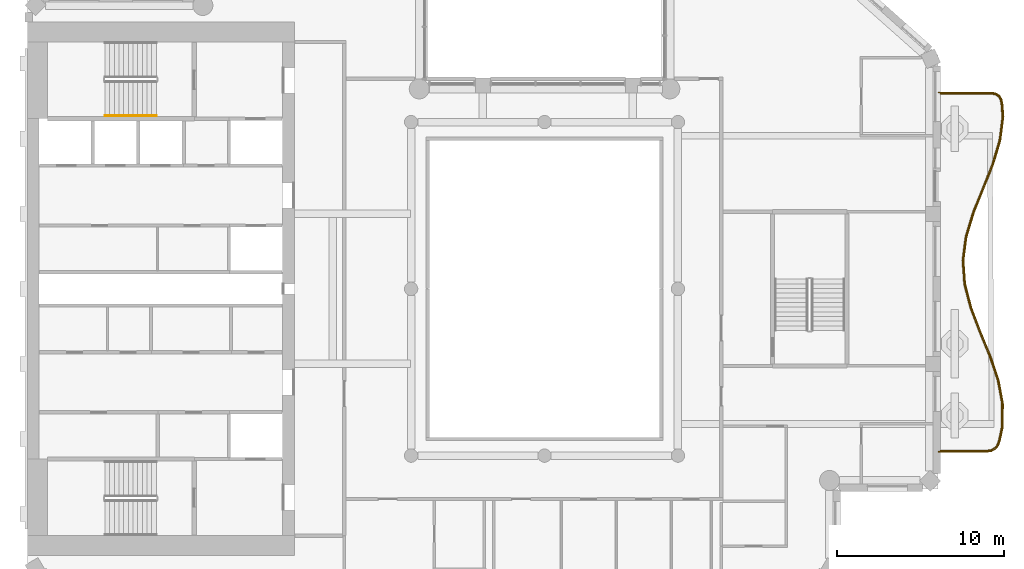
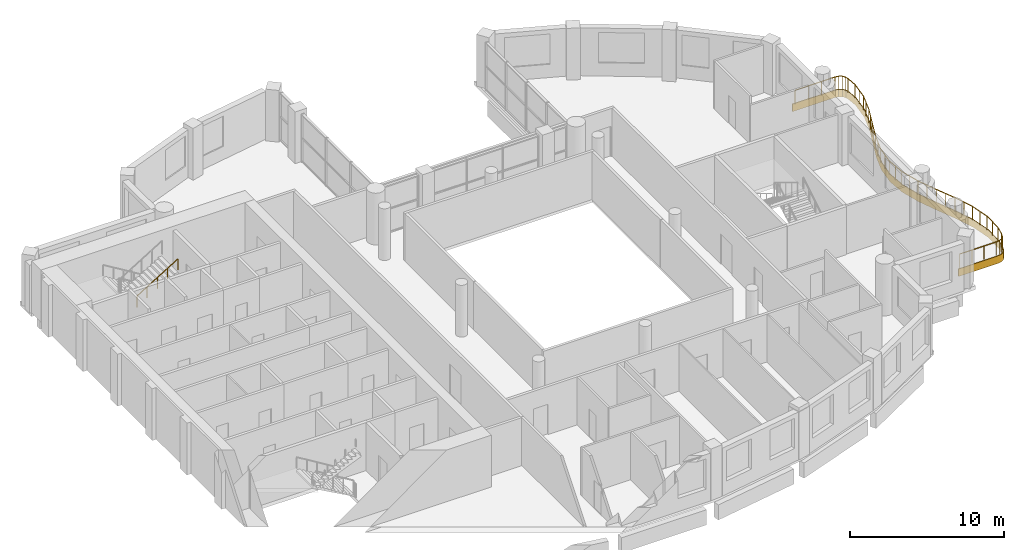
# One storey, part 13 of 15: 2 railings, 1 covering.
"""IFC4 building model written with IfcOpenShell, lengths in metres."""

from ifc_helpers import new_model, si_unit, direction, frame, origin, origin_2d, place, context, subcontext, project, spatial, polyline, rectangle, outline, extrude, material, layer, layer_set, type_object, element, save


model = new_model("IFC4")

# Units and contexts
model_context = context("Model", 3, precision=1e-05, world=origin(), true_north=direction((0.0, 1.0)))
body_context = subcontext(model_context, "Body", "Model", "MODEL_VIEW")
ifc_project = project(units=[si_unit("LENGTHUNIT", "METRE"), si_unit("AREAUNIT", "SQUARE_METRE"), si_unit("VOLUMEUNIT", "CUBIC_METRE"), si_unit("PLANEANGLEUNIT", "RADIAN"), si_unit("MASSUNIT", "GRAM", prefix="KILO")], contexts=[model_context])

# Site, building, storey
site_placement = place(None, origin())
site = spatial("IfcSite", under=ifc_project, at=site_placement, CompositionType="ELEMENT")
building_placement = place(site_placement, origin())
building = spatial("IfcBuilding", under=site, at=building_placement, Name="Cypress Arch Tower", CompositionType="ELEMENT")
storey_placement = place(building_placement, frame((0.0, 0.0, 317.199951171875)))
storey = spatial("IfcBuildingStorey", under=building, at=storey_placement, Name="L72", CompositionType="ELEMENT", Elevation=317.199951171875)

# Covering
ifc_material_1 = material(Name="White powder-coated aluminium fascia", Category="aluminium")
ifc_layer = layer(ifc_material_1, 0.050048828125)
ifc_layer_set = layer_set([ifc_layer], Name="Balcony fascia BF50")
covering_type = type_object("IfcCoveringType", Name="Balcony fascia BF50", PredefinedType="CLADDING", material=ifc_layer_set)
covering_placement = place(storey_placement, frame((0.0, 0.0, -0.599853515625)))
element("IfcCovering", 1, at=covering_placement, inside=storey, type_object=covering_type, Name="Balcony fascia L72-C17", PredefinedType="CLADDING", context=body_context, shape_type="SweptSolid", body=[
    extrude(outline(polyline([(27.744140625, 11.800048828125), (28.043212890625, 11.7578125), (28.273193359375, 11.62646484375), (28.421630859375, 11.4072265625), (28.486572265625, 11.1123046875), (28.5478515625, 10.3154296875), (28.363037109375, 8.872802734375), (27.928955078125, 7.433349609375), (27.353271484375, 5.998046875), (26.777587890625, 4.566650390625), (26.342529296875, 3.139404296875), (26.153564453125, 1.715087890625), (26.256103515625, 0.29150390625), (26.62548828125, -1.134765625), (27.172607421875, -2.56494140625), (27.763916015625, -3.9990234375), (28.254150390625, -5.437255859375), (28.5224609375, -6.879150390625), (28.50146484375, -8.322265625), (28.3330078125, -9.11865234375), (28.228271484375, -9.412353515625), (28.050048828125, -9.62841796875), (27.801513671875, -9.758056640625), (27.49267578125, -9.800048828125), (24.60107421875, -9.800048828125), (24.60107421875, -9.75), (27.4892578125, -9.75), (27.7861328125, -9.709716796875), (28.017822265625, -9.5888671875), (28.18408203125, -9.38720703125), (28.284912109375, -9.10498046875), (28.45166015625, -8.316650390625), (28.472412109375, -6.88330078125), (28.20556640625, -5.449951171875), (27.717041015625, -4.0166015625), (27.1259765625, -2.583251953125), (26.577880859375, -1.14990234375), (26.20654296875, 0.283447265625), (26.103515625, 1.716552734375), (26.293701171875, 3.14990234375), (26.73046875, 4.583251953125), (27.306884765625, 6.0166015625), (27.8818359375, 7.449951171875), (28.31396484375, 8.88330078125), (28.49755859375, 10.316650390625), (28.43701171875, 11.10498046875), (28.375, 11.38720703125), (28.23828125, 11.5888671875), (28.02685546875, 11.709716796875), (27.74072265625, 11.75), (24.60107421875, 11.75), (24.60107421875, 11.800048828125), (27.744140625, 11.800048828125)])), origin(), (0.0, 0.0, 1.0), 0.599853515625),
])

# Railings
ifc_material_2 = material(Name="Powder-coated steel posts and rods, 100 mm clear between rods", Category="steel")
railing_type_1 = type_object("IfcRailingType", Name="Balcony guard GR1100", PredefinedType="GUARDRAIL", material=ifc_material_2)
railing_1_placement = place(storey_placement, frame((24.75, 11.699951171875, 0.0)))
element("IfcRailing", 2, at=railing_1_placement, inside=storey, type_object=railing_type_1, Name="Balcony guard L72-C17", PredefinedType="GUARDRAIL", context=body_context, shape_type="SweptSolid", body=[
    extrude(rectangle(XDim=0.050048828125, YDim=0.050048828125, at=origin_2d()), frame((0.0, 0.0, 1.0751953125), z_axis=(1.0, 0.0, 0.0), x_axis=(0.0, 1.0, 0.0)), (0.0, 0.0, 1.0), 2.987060546875),
    extrude(rectangle(XDim=0.050048828125, YDim=0.050048828125, at=origin_2d()), frame((2.987060546875, 0.0, 1.0751953125), z_axis=(0.990300387112, -0.138942949756, 0.0), x_axis=(0.138942949756, 0.990300387112, 0.0)), (0.0, 0.0, 1.0), 0.27587890625),
    extrude(rectangle(XDim=0.050048828125, YDim=0.050048828125, at=origin_2d()), frame((3.26025390625, -0.038330078125, 1.0751953125), z_axis=(0.8677701709, -0.496965723663, 0.0), x_axis=(0.496965723663, 0.8677701709, 0.0)), (0.0, 0.0, 1.0), 0.22265625),
    extrude(rectangle(XDim=0.050048828125, YDim=0.050048828125, at=origin_2d()), frame((3.453369140625, -0.14892578125, 1.0751953125), z_axis=(0.56101806242, -0.827803559813, 0.0), x_axis=(0.827803559813, 0.56101806242, 0.0)), (0.0, 0.0, 1.0), 0.222412109375),
    extrude(rectangle(XDim=0.050048828125, YDim=0.050048828125, at=origin_2d()), frame((3.578125, -0.3330078125, 1.0751953125), z_axis=(0.215148907492, -0.976581254994, 0.0), x_axis=(0.976581254994, 0.215148907492, 0.0)), (0.0, 0.0, 1.0), 0.275634765625),
    extrude(rectangle(XDim=0.050048828125, YDim=0.050048828125, at=origin_2d()), frame((3.637451171875, -0.602294921875, 1.0751953125), z_axis=(0.07648165069, -0.997070989001, 0.0), x_axis=(0.997070989001, 0.07648165069, 0.0)), (0.0, 0.0, 1.0), 0.781982421875),
    extrude(rectangle(XDim=0.050048828125, YDim=0.050048828125, at=origin_2d()), frame((3.697265625, -1.382080078125, 1.0751953125), z_axis=(-0.127027043172, -0.99189925411, 0.0), x_axis=(0.99189925411, -0.127027043172, 0.0)), (0.0, 0.0, 1.0), 1.435791015625),
    extrude(rectangle(XDim=0.050048828125, YDim=0.050048828125, at=origin_2d()), frame((3.514892578125, -2.80615234375, 1.0751953125), z_axis=(-0.288729881375, -0.957410599273, 0.0), x_axis=(0.957410599273, -0.288729881375, 0.0)), (0.0, 0.0, 1.0), 1.49072265625),
    extrude(rectangle(XDim=0.050048828125, YDim=0.050048828125, at=origin_2d()), frame((3.08447265625, -4.2333984375, 1.0751953125), z_axis=(-0.37223677534, -0.92813780393, 0.0), x_axis=(0.92813780393, -0.37223677534, 0.0)), (0.0, 0.0, 1.0), 1.5419921875),
    extrude(rectangle(XDim=0.050048828125, YDim=0.050048828125, at=origin_2d()), frame((2.510498046875, -5.66455078125, 1.0751953125), z_axis=(-0.373077062107, -0.927800358768, 0.0), x_axis=(0.927800358768, -0.373077062107, 0.0)), (0.0, 0.0, 1.0), 1.546875),
    extrude(rectangle(XDim=0.050048828125, YDim=0.050048828125, at=origin_2d()), frame((1.933349609375, -7.099853515625, 1.0751953125), z_axis=(-0.291542488158, -0.9565578799, 0.0), x_axis=(0.9565578799, -0.291542488158, 0.0)), (0.0, 0.0, 1.0), 1.5048828125),
    extrude(rectangle(XDim=0.050048828125, YDim=0.050048828125, at=origin_2d()), frame((1.49462890625, -8.539306640625, 1.0751953125), z_axis=(-0.131548216371, -0.991309773365, 0.0), x_axis=(0.991309773365, -0.131548216371, 0.0)), (0.0, 0.0, 1.0), 1.455078125),
    extrude(rectangle(XDim=0.050048828125, YDim=0.050048828125, at=origin_2d()), frame((1.30322265625, -9.981689453125, 1.0751953125), z_axis=(0.071714718914, -0.997425184709, 0.0), x_axis=(0.997425184709, 0.071714718914, 0.0)), (0.0, 0.0, 1.0), 1.44677734375),
    extrude(rectangle(XDim=0.050048828125, YDim=0.050048828125, at=origin_2d()), frame((1.406982421875, -11.4248046875, 1.0751953125), z_axis=(0.250711604117, -0.968061822179, 0.0), x_axis=(0.968061822179, 0.250711604117, 0.0)), (0.0, 0.0, 1.0), 1.488037109375),
    extrude(rectangle(XDim=0.050048828125, YDim=0.050048828125, at=origin_2d()), frame((1.780029296875, -12.865234375, 1.0751953125), z_axis=(0.357308532784, -0.933986409109, 0.0), x_axis=(0.933986409109, 0.357308532784, 0.0)), (0.0, 0.0, 1.0), 1.5380859375),
    extrude(rectangle(XDim=0.050048828125, YDim=0.050048828125, at=origin_2d()), frame((2.32958984375, -14.3017578125, 1.0751953125), z_axis=(0.381177738725, -0.924501774742, 0.0), x_axis=(0.924501774742, 0.381177738725, 0.0)), (0.0, 0.0, 1.0), 1.54931640625),
    extrude(rectangle(XDim=0.050048828125, YDim=0.050048828125, at=origin_2d()), frame((2.920166015625, -15.734130859375, 1.0751953125), z_axis=(0.322723333001, -0.946493344053, 0.0), x_axis=(0.946493344053, 0.322723333001, 0.0)), (0.0, 0.0, 1.0), 1.50927734375),
    extrude(rectangle(XDim=0.050048828125, YDim=0.050048828125, at=origin_2d()), frame((3.4072265625, -17.16259765625, 1.0751953125), z_axis=(0.182752685435, -0.983158916944, 0.0), x_axis=(0.983158916944, 0.182752685435, 0.0)), (0.0, 0.0, 1.0), 1.449462890625),
    extrude(rectangle(XDim=0.050048828125, YDim=0.050048828125, at=origin_2d()), frame((3.672119140625, -18.587646484375, 1.0751953125), z_axis=(-0.014406737955, -0.999896217565, 0.0), x_axis=(0.999896217565, -0.014406737955, 0.0)), (0.0, 0.0, 1.0), 1.423583984375),
    extrude(rectangle(XDim=0.050048828125, YDim=0.050048828125, at=origin_2d()), frame((3.651611328125, -20.010986328125, 1.0751953125), z_axis=(-0.206936052005, -0.978354470721, 0.0), x_axis=(0.978354470721, -0.206936052005, 0.0)), (0.0, 0.0, 1.0), 0.797607421875),
    extrude(rectangle(XDim=0.050048828125, YDim=0.050048828125, at=origin_2d()), frame((3.486572265625, -20.791259765625, 1.0751953125), z_axis=(-0.33628260107, -0.941761122694, 0.0), x_axis=(0.941761122694, -0.33628260107, 0.0)), (0.0, 0.0, 1.0), 0.28759765625),
    extrude(rectangle(XDim=0.050048828125, YDim=0.050048828125, at=origin_2d()), frame((3.389892578125, -21.06201171875, 1.0751953125), z_axis=(-0.636412912886, -0.771348562137, 0.0), x_axis=(0.771348562137, -0.636412912886, 0.0)), (0.0, 0.0, 1.0), 0.242431640625),
    extrude(rectangle(XDim=0.050048828125, YDim=0.050048828125, at=origin_2d()), frame((3.235595703125, -21.2490234375, 1.0751953125), z_axis=(-0.886225443962, -0.463254209344, 0.0), x_axis=(0.463254209344, -0.886225443962, 0.0)), (0.0, 0.0, 1.0), 0.242431640625),
    extrude(rectangle(XDim=0.050048828125, YDim=0.050048828125, at=origin_2d()), frame((3.020751953125, -21.361328125, 1.0751953125), z_axis=(-0.990958896321, -0.134165814583, 0.0), x_axis=(0.134165814583, -0.990958896321, 0.0)), (0.0, 0.0, 1.0), 0.28759765625),
    extrude(rectangle(XDim=0.050048828125, YDim=0.050048828125, at=origin_2d()), frame((2.73583984375, -21.39990234375, 1.0751953125), z_axis=(-1.0, 0.0, 0.0), x_axis=(0.0, -1.0, 0.0)), (0.0, 0.0, 1.0), 2.73583984375),
    extrude(rectangle(XDim=0.0400390625, YDim=0.0400390625, at=origin_2d()), origin(), (0.0, 0.0, 1.0), 1.050048828125),
    extrude(rectangle(XDim=0.0400390625, YDim=0.0400390625, at=origin_2d()), frame((0.99560546875, 0.0, 0.0)), (0.0, 0.0, 1.0), 1.050048828125),
    extrude(rectangle(XDim=0.0400390625, YDim=0.0400390625, at=origin_2d()), frame((1.991455078125, 0.0, 0.0)), (0.0, 0.0, 1.0), 1.050048828125),
    extrude(rectangle(XDim=0.0400390625, YDim=0.0400390625, at=origin_2d()), frame((2.987060546875, 0.0, 0.0)), (0.0, 0.0, 1.0), 1.050048828125),
    extrude(rectangle(XDim=0.0400390625, YDim=0.0400390625, at=origin_2d()), frame((3.26025390625, -0.038330078125, 0.0)), (0.0, 0.0, 1.0), 1.050048828125),
    extrude(rectangle(XDim=0.0400390625, YDim=0.0400390625, at=origin_2d()), frame((3.453369140625, -0.14892578125, 0.0)), (0.0, 0.0, 1.0), 1.050048828125),
    extrude(rectangle(XDim=0.0400390625, YDim=0.0400390625, at=origin_2d()), frame((3.578125, -0.3330078125, 0.0)), (0.0, 0.0, 1.0), 1.050048828125),
    extrude(rectangle(XDim=0.0400390625, YDim=0.0400390625, at=origin_2d()), frame((3.637451171875, -0.602294921875, 0.0)), (0.0, 0.0, 1.0), 1.050048828125),
    extrude(rectangle(XDim=0.0400390625, YDim=0.0400390625, at=origin_2d()), frame((3.697265625, -1.382080078125, 0.0)), (0.0, 0.0, 1.0), 1.050048828125),
    extrude(rectangle(XDim=0.0400390625, YDim=0.0400390625, at=origin_2d()), frame((3.60595703125, -2.09423828125, 0.0)), (0.0, 0.0, 1.0), 1.050048828125),
    extrude(rectangle(XDim=0.0400390625, YDim=0.0400390625, at=origin_2d()), frame((3.514892578125, -2.80615234375, 0.0)), (0.0, 0.0, 1.0), 1.050048828125),
    extrude(rectangle(XDim=0.0400390625, YDim=0.0400390625, at=origin_2d()), frame((3.2998046875, -3.519775390625, 0.0)), (0.0, 0.0, 1.0), 1.050048828125),
    extrude(rectangle(XDim=0.0400390625, YDim=0.0400390625, at=origin_2d()), frame((3.08447265625, -4.2333984375, 0.0)), (0.0, 0.0, 1.0), 1.050048828125),
    extrude(rectangle(XDim=0.0400390625, YDim=0.0400390625, at=origin_2d()), frame((2.79736328125, -4.948974609375, 0.0)), (0.0, 0.0, 1.0), 1.050048828125),
    extrude(rectangle(XDim=0.0400390625, YDim=0.0400390625, at=origin_2d()), frame((2.510498046875, -5.66455078125, 0.0)), (0.0, 0.0, 1.0), 1.050048828125),
    extrude(rectangle(XDim=0.0400390625, YDim=0.0400390625, at=origin_2d()), frame((2.221923828125, -6.38232421875, 0.0)), (0.0, 0.0, 1.0), 1.050048828125),
    extrude(rectangle(XDim=0.0400390625, YDim=0.0400390625, at=origin_2d()), frame((1.933349609375, -7.099853515625, 0.0)), (0.0, 0.0, 1.0), 1.050048828125),
    extrude(rectangle(XDim=0.0400390625, YDim=0.0400390625, at=origin_2d()), frame((1.7138671875, -7.819580078125, 0.0)), (0.0, 0.0, 1.0), 1.050048828125),
    extrude(rectangle(XDim=0.0400390625, YDim=0.0400390625, at=origin_2d()), frame((1.49462890625, -8.539306640625, 0.0)), (0.0, 0.0, 1.0), 1.050048828125),
    extrude(rectangle(XDim=0.0400390625, YDim=0.0400390625, at=origin_2d()), frame((1.39892578125, -9.260498046875, 0.0)), (0.0, 0.0, 1.0), 1.050048828125),
    extrude(rectangle(XDim=0.0400390625, YDim=0.0400390625, at=origin_2d()), frame((1.30322265625, -9.981689453125, 0.0)), (0.0, 0.0, 1.0), 1.050048828125),
    extrude(rectangle(XDim=0.0400390625, YDim=0.0400390625, at=origin_2d()), frame((1.35498046875, -10.703125, 0.0)), (0.0, 0.0, 1.0), 1.050048828125),
    extrude(rectangle(XDim=0.0400390625, YDim=0.0400390625, at=origin_2d()), frame((1.406982421875, -11.4248046875, 0.0)), (0.0, 0.0, 1.0), 1.050048828125),
    extrude(rectangle(XDim=0.0400390625, YDim=0.0400390625, at=origin_2d()), frame((1.593505859375, -12.14501953125, 0.0)), (0.0, 0.0, 1.0), 1.050048828125),
    extrude(rectangle(XDim=0.0400390625, YDim=0.0400390625, at=origin_2d()), frame((1.780029296875, -12.865234375, 0.0)), (0.0, 0.0, 1.0), 1.050048828125),
    extrude(rectangle(XDim=0.0400390625, YDim=0.0400390625, at=origin_2d()), frame((2.0546875, -13.58349609375, 0.0)), (0.0, 0.0, 1.0), 1.050048828125),
    extrude(rectangle(XDim=0.0400390625, YDim=0.0400390625, at=origin_2d()), frame((2.32958984375, -14.3017578125, 0.0)), (0.0, 0.0, 1.0), 1.050048828125),
    extrude(rectangle(XDim=0.0400390625, YDim=0.0400390625, at=origin_2d()), frame((2.625, -15.01806640625, 0.0)), (0.0, 0.0, 1.0), 1.050048828125),
    extrude(rectangle(XDim=0.0400390625, YDim=0.0400390625, at=origin_2d()), frame((2.920166015625, -15.734130859375, 0.0)), (0.0, 0.0, 1.0), 1.050048828125),
    extrude(rectangle(XDim=0.0400390625, YDim=0.0400390625, at=origin_2d()), frame((3.16357421875, -16.4482421875, 0.0)), (0.0, 0.0, 1.0), 1.050048828125),
    extrude(rectangle(XDim=0.0400390625, YDim=0.0400390625, at=origin_2d()), frame((3.4072265625, -17.16259765625, 0.0)), (0.0, 0.0, 1.0), 1.050048828125),
    extrude(rectangle(XDim=0.0400390625, YDim=0.0400390625, at=origin_2d()), frame((3.53955078125, -17.875, 0.0)), (0.0, 0.0, 1.0), 1.050048828125),
    extrude(rectangle(XDim=0.0400390625, YDim=0.0400390625, at=origin_2d()), frame((3.672119140625, -18.587646484375, 0.0)), (0.0, 0.0, 1.0), 1.050048828125),
    extrude(rectangle(XDim=0.0400390625, YDim=0.0400390625, at=origin_2d()), frame((3.661865234375, -19.29931640625, 0.0)), (0.0, 0.0, 1.0), 1.050048828125),
    extrude(rectangle(XDim=0.0400390625, YDim=0.0400390625, at=origin_2d()), frame((3.651611328125, -20.010986328125, 0.0)), (0.0, 0.0, 1.0), 1.050048828125),
    extrude(rectangle(XDim=0.0400390625, YDim=0.0400390625, at=origin_2d()), frame((3.486572265625, -20.791259765625, 0.0)), (0.0, 0.0, 1.0), 1.050048828125),
    extrude(rectangle(XDim=0.0400390625, YDim=0.0400390625, at=origin_2d()), frame((3.389892578125, -21.06201171875, 0.0)), (0.0, 0.0, 1.0), 1.050048828125),
    extrude(rectangle(XDim=0.0400390625, YDim=0.0400390625, at=origin_2d()), frame((3.235595703125, -21.2490234375, 0.0)), (0.0, 0.0, 1.0), 1.050048828125),
    extrude(rectangle(XDim=0.0400390625, YDim=0.0400390625, at=origin_2d()), frame((3.020751953125, -21.361328125, 0.0)), (0.0, 0.0, 1.0), 1.050048828125),
    extrude(rectangle(XDim=0.0400390625, YDim=0.0400390625, at=origin_2d()), frame((2.73583984375, -21.39990234375, 0.0)), (0.0, 0.0, 1.0), 1.050048828125),
    extrude(rectangle(XDim=0.0400390625, YDim=0.0400390625, at=origin_2d()), frame((1.823974609375, -21.39990234375, 0.0)), (0.0, 0.0, 1.0), 1.050048828125),
    extrude(rectangle(XDim=0.0400390625, YDim=0.0400390625, at=origin_2d()), frame((0.911865234375, -21.39990234375, 0.0)), (0.0, 0.0, 1.0), 1.050048828125),
    extrude(rectangle(XDim=0.0400390625, YDim=0.0400390625, at=origin_2d()), frame((0.0, -21.39990234375, 0.0)), (0.0, 0.0, 1.0), 1.050048828125),
])
ifc_material_3 = material(Name="Black powder-coated steel square bar 48 mm", Category="steel")
railing_type_2 = type_object("IfcRailingType", Name="Stair handrail HR1", PredefinedType="HANDRAIL", material=ifc_material_3)
railing_2_placement = place(storey_placement, frame((-25.35498046875, 10.375, 2.220947265625)))
element("IfcRailing", 3, at=railing_2_placement, inside=storey, type_object=railing_type_2, Name="L72 B stair handrail 2", PredefinedType="HANDRAIL", context=body_context, shape_type="SweptSolid", body=[
    extrude(rectangle(XDim=0.048095703125, YDim=0.048095703125, at=origin_2d()), frame((0.0, 0.0, 0.8759765625), z_axis=(0.853666305674, 0.0, 0.52082035152), x_axis=(0.0, 1.0, 0.0)), (0.0, 0.0, 1.0), 3.608154296875),
    extrude(rectangle(XDim=0.0419921875, YDim=0.0419921875, at=origin_2d()), origin(), (0.0, 0.0, 1.0), 0.851806640625),
    extrude(rectangle(XDim=0.0419921875, YDim=0.0419921875, at=origin_2d()), frame((0.77001953125, 0.0, 0.4697265625)), (0.0, 0.0, 1.0), 0.851806640625),
    extrude(rectangle(XDim=0.0419921875, YDim=0.0419921875, at=origin_2d()), frame((1.5400390625, 0.0, 0.939453125)), (0.0, 0.0, 1.0), 0.851806640625),
    extrude(rectangle(XDim=0.0419921875, YDim=0.0419921875, at=origin_2d()), frame((2.31005859375, 0.0, 1.409423828125)), (0.0, 0.0, 1.0), 0.851806640625),
    extrude(rectangle(XDim=0.0419921875, YDim=0.0419921875, at=origin_2d()), frame((3.080078125, 0.0, 1.879150390625)), (0.0, 0.0, 1.0), 0.851806640625),
])

save(model, "model.ifc")
